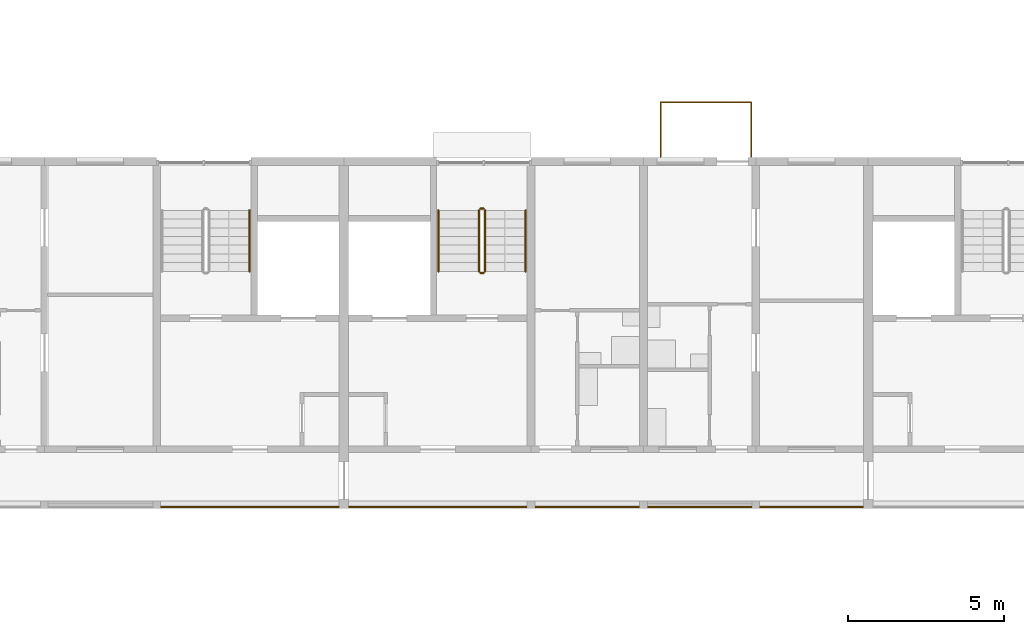
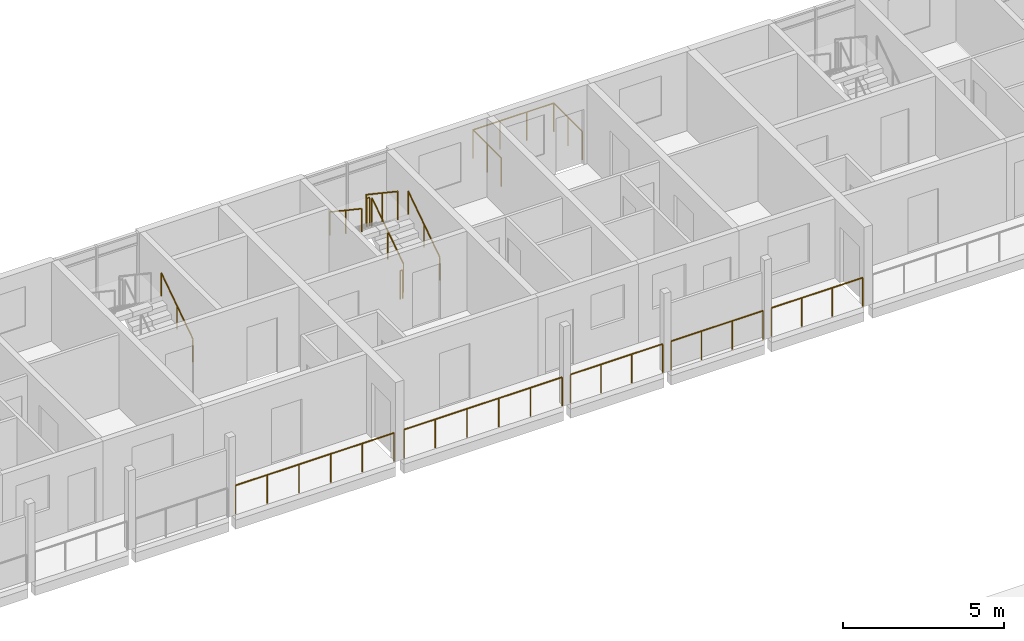
# One storey, part 118 of 122: 13 railings.
"""IFC4 building model written with IfcOpenShell, lengths in metres."""

from ifc_helpers import new_model, si_unit, direction, frame, origin, origin_2d, place, context, subcontext, project, spatial, circle, extrude, material, type_object, element, save


model = new_model("IFC4")

# Units and contexts
model_context = context("Model", 3, precision=1e-05, world=origin(), true_north=direction((0.0, 1.0)))
body_context = subcontext(model_context, "Body", "Model", "MODEL_VIEW")
ifc_project = project(units=[si_unit("LENGTHUNIT", "METRE"), si_unit("AREAUNIT", "SQUARE_METRE"), si_unit("VOLUMEUNIT", "CUBIC_METRE"), si_unit("PLANEANGLEUNIT", "RADIAN"), si_unit("MASSUNIT", "GRAM", prefix="KILO")], contexts=[model_context])

# Site, building, storey
site_placement = place(None, origin())
site = spatial("IfcSite", under=ifc_project, at=site_placement, CompositionType="ELEMENT")
building_placement = place(site_placement, origin())
building = spatial("IfcBuilding", under=site, at=building_placement, Name="Ridgestep Commons", CompositionType="ELEMENT")
storey_placement = place(building_placement, frame((0.0, 0.0, 3.0)))
storey = spatial("IfcBuildingStorey", under=building, at=storey_placement, Name="L01", CompositionType="ELEMENT", Elevation=3.0)

# Railings
ifc_material_1 = material(Name="Structural steel S355JR", Category="steel")
railing_type_1 = type_object("IfcRailingType", Name="Guard 1100", PredefinedType="GUARDRAIL", material=ifc_material_1)
railing_1_placement = place(storey_placement, frame((174.5458984375, 66.050048828125, 0.0)))
element("IfcRailing", 1, at=railing_1_placement, inside=storey, type_object=railing_type_1, Name="Gallery guard C 01.8", PredefinedType="GUARDRAIL", context=body_context, shape_type="SweptSolid", body=[
    extrude(circle(Radius=0.02392578125, at=origin_2d()), frame((0.0, 0.0, 1.076171875), z_axis=(1.0, 0.0, 0.0), x_axis=(0.0, 1.0, 0.0)), (0.0, 0.0, 1.0), 5.68310546875),
    extrude(circle(Radius=0.02099609375, at=origin_2d()), origin(), (0.0, 0.0, 1.0), 1.052001953125),
    extrude(circle(Radius=0.02099609375, at=origin_2d()), frame((1.13671875, 0.0, 0.0)), (0.0, 0.0, 1.0), 1.052001953125),
    extrude(circle(Radius=0.02099609375, at=origin_2d()), frame((2.273193359375, 0.0, 0.0)), (0.0, 0.0, 1.0), 1.052001953125),
    extrude(circle(Radius=0.02099609375, at=origin_2d()), frame((3.409912109375, 0.0, 0.0)), (0.0, 0.0, 1.0), 1.052001953125),
    extrude(circle(Radius=0.02099609375, at=origin_2d()), frame((4.54638671875, 0.0, 0.0)), (0.0, 0.0, 1.0), 1.052001953125),
    extrude(circle(Radius=0.02099609375, at=origin_2d()), frame((5.68310546875, 0.0, 0.0)), (0.0, 0.0, 1.0), 1.052001953125),
])
railing_2_placement = place(storey_placement, frame((180.571044921875, 66.050048828125, 0.0)))
element("IfcRailing", 2, at=railing_2_placement, inside=storey, type_object=railing_type_1, Name="Gallery guard C 01.9", PredefinedType="GUARDRAIL", context=body_context, shape_type="SweptSolid", body=[
    extrude(circle(Radius=0.02392578125, at=origin_2d()), frame((0.0, 0.0, 1.076171875), z_axis=(1.0, 0.0, 0.0), x_axis=(0.0, 1.0, 0.0)), (0.0, 0.0, 1.0), 5.682861328125),
    extrude(circle(Radius=0.02099609375, at=origin_2d()), origin(), (0.0, 0.0, 1.0), 1.052001953125),
    extrude(circle(Radius=0.02099609375, at=origin_2d()), frame((1.136474609375, 0.0, 0.0)), (0.0, 0.0, 1.0), 1.052001953125),
    extrude(circle(Radius=0.02099609375, at=origin_2d()), frame((2.273193359375, 0.0, 0.0)), (0.0, 0.0, 1.0), 1.052001953125),
    extrude(circle(Radius=0.02099609375, at=origin_2d()), frame((3.40966796875, 0.0, 0.0)), (0.0, 0.0, 1.0), 1.052001953125),
    extrude(circle(Radius=0.02099609375, at=origin_2d()), frame((4.54638671875, 0.0, 0.0)), (0.0, 0.0, 1.0), 1.052001953125),
    extrude(circle(Radius=0.02099609375, at=origin_2d()), frame((5.682861328125, 0.0, 0.0)), (0.0, 0.0, 1.0), 1.052001953125),
])
for number, where, name in (
    (3, (186.5458984375, 66.050048828125, 0.0), "Gallery guard C 01.10"),
    (4, (190.14599609375, 66.050048828125, 0.0), "Gallery guard C 01.11"),
):
    element("IfcRailing", number, at=place(storey_placement, frame(where)), inside=storey, type_object=railing_type_1, Name=name, PredefinedType="GUARDRAIL", context=body_context, shape_type="SweptSolid", body=[
        extrude(circle(Radius=0.02392578125, at=origin_2d()), frame((0.0, 0.0, 1.076171875), z_axis=(1.0, 0.0, 0.0), x_axis=(0.0, 1.0, 0.0)), (0.0, 0.0, 1.0), 3.30810546875),
        extrude(circle(Radius=0.02099609375, at=origin_2d()), origin(), (0.0, 0.0, 1.0), 1.052001953125),
        extrude(circle(Radius=0.02099609375, at=origin_2d()), frame((1.102783203125, 0.0, 0.0)), (0.0, 0.0, 1.0), 1.052001953125),
        extrude(circle(Radius=0.02099609375, at=origin_2d()), frame((2.205322265625, 0.0, 0.0)), (0.0, 0.0, 1.0), 1.052001953125),
        extrude(circle(Radius=0.02099609375, at=origin_2d()), frame((3.30810546875, 0.0, 0.0)), (0.0, 0.0, 1.0), 1.052001953125),
    ])
railing_3_placement = place(storey_placement, frame((193.74609375, 66.050048828125, 0.0)))
element("IfcRailing", 5, at=railing_3_placement, inside=storey, type_object=railing_type_1, Name="Gallery guard C 01.12", PredefinedType="GUARDRAIL", context=body_context, shape_type="SweptSolid", body=[
    extrude(circle(Radius=0.02392578125, at=origin_2d()), frame((0.0, 0.0, 1.076171875), z_axis=(1.0, 0.0, 0.0), x_axis=(0.0, 1.0, 0.0)), (0.0, 0.0, 1.0), 3.282958984375),
    extrude(circle(Radius=0.02099609375, at=origin_2d()), origin(), (0.0, 0.0, 1.0), 1.052001953125),
    extrude(circle(Radius=0.02099609375, at=origin_2d()), frame((1.09423828125, 0.0, 0.0)), (0.0, 0.0, 1.0), 1.052001953125),
    extrude(circle(Radius=0.02099609375, at=origin_2d()), frame((2.188720703125, 0.0, 0.0)), (0.0, 0.0, 1.0), 1.052001953125),
    extrude(circle(Radius=0.02099609375, at=origin_2d()), frame((3.282958984375, 0.0, 0.0)), (0.0, 0.0, 1.0), 1.052001953125),
])
ifc_material_2 = material(Name="Structural steel S355JR", Category="steel")
railing_type_2 = type_object("IfcRailingType", Name="Stair guard 1100", PredefinedType="GUARDRAIL", material=ifc_material_2)
railing_4_placement = place(storey_placement, frame((184.925048828125, 73.60009765625, 0.1875)))
element("IfcRailing", 6, at=railing_4_placement, inside=storey, type_object=railing_type_2, Name="L01 C3C stair guard 1", PredefinedType="GUARDRAIL", context=body_context, shape_type="SweptSolid", body=[
    extrude(circle(Radius=0.02392578125, at=origin_2d()), frame((0.0, 0.0, 1.076171875), z_axis=(0.0, 0.830902050051, 0.556418712142), x_axis=(-1.0, 0.0, 0.0)), (0.0, 0.0, 1.0), 2.35888671875),
    extrude(circle(Radius=0.02099609375, at=origin_2d()), origin(), (0.0, 0.0, 1.0), 1.052001953125),
    extrude(circle(Radius=0.02099609375, at=origin_2d()), frame((0.0, 0.97998046875, 0.65625)), (0.0, 0.0, 1.0), 1.052001953125),
    extrude(circle(Radius=0.02099609375, at=origin_2d()), frame((0.0, 1.9599609375, 1.3125)), (0.0, 0.0, 1.0), 1.052001953125),
])
railing_5_placement = place(storey_placement, frame((184.875, 75.610107421875, 1.5)))
element("IfcRailing", 7, at=railing_5_placement, inside=storey, type_object=railing_type_2, Name="L01 C3C stair guard 2", PredefinedType="GUARDRAIL", context=body_context, shape_type="SweptSolid", body=[
    extrude(circle(Radius=0.02392578125, at=origin_2d()), frame((0.0, 0.0, 1.076171875), z_axis=(-1.0, 0.0, 0.0), x_axis=(0.0, -1.0, 0.0)), (0.0, 0.0, 1.0), 0.10009765625),
    extrude(circle(Radius=0.02099609375, at=origin_2d()), origin(), (0.0, 0.0, 1.0), 1.052001953125),
    extrude(circle(Radius=0.02099609375, at=origin_2d()), frame((-0.10009765625, 0.0, 0.0)), (0.0, 0.0, 1.0), 1.052001953125),
])
railing_6_placement = place(storey_placement, frame((184.72509765625, 75.56005859375, 1.6875)))
element("IfcRailing", 8, at=railing_6_placement, inside=storey, type_object=railing_type_2, Name="L01 C3C stair guard 3", PredefinedType="GUARDRAIL", context=body_context, shape_type="SweptSolid", body=[
    extrude(circle(Radius=0.02392578125, at=origin_2d()), frame((0.0, 0.0, 1.076171875), z_axis=(0.0, -0.830902050051, 0.556418712142), x_axis=(1.0, 0.0, 0.0)), (0.0, 0.0, 1.0), 2.35888671875),
    extrude(circle(Radius=0.02099609375, at=origin_2d()), origin(), (0.0, 0.0, 1.0), 1.052001953125),
    extrude(circle(Radius=0.02099609375, at=origin_2d()), frame((0.0, -0.97998046875, 0.65625)), (0.0, 0.0, 1.0), 1.052001953125),
    extrude(circle(Radius=0.02099609375, at=origin_2d()), frame((0.0, -1.9599609375, 1.3125)), (0.0, 0.0, 1.0), 1.052001953125),
])
railing_7_placement = place(storey_placement, frame((184.875, 73.550048828125, 0.0)))
element("IfcRailing", 9, at=railing_7_placement, inside=storey, type_object=railing_type_2, Name="L01 C3C stair guard 4", PredefinedType="GUARDRAIL", context=body_context, shape_type="SweptSolid", body=[
    extrude(circle(Radius=0.02392578125, at=origin_2d()), frame((0.0, 0.0, 1.076171875), z_axis=(-1.0, 0.0, 0.0), x_axis=(0.0, -1.0, 0.0)), (0.0, 0.0, 1.0), 0.10009765625),
    extrude(circle(Radius=0.02099609375, at=origin_2d()), origin(), (0.0, 0.0, 1.0), 1.052001953125),
    extrude(circle(Radius=0.02099609375, at=origin_2d()), frame((-0.10009765625, 0.0, 0.0)), (0.0, 0.0, 1.0), 1.052001953125),
])
ifc_material_3 = material(Name="Structural steel S355JR", Category="steel")
railing_type_3 = type_object("IfcRailingType", Name="Stair handrail 900", PredefinedType="HANDRAIL", material=ifc_material_3)
for number, where, name in (
    (10, (177.375, 73.60009765625, 0.1875), "L01 C2C stair handrail 1"),
    (11, (186.22509765625, 73.60009765625, 0.1875), "L01 C3C stair handrail 1"),
):
    element("IfcRailing", number, at=place(storey_placement, frame(where)), inside=storey, type_object=railing_type_3, Name=name, PredefinedType="HANDRAIL", context=body_context, shape_type="SweptSolid", body=[
        extrude(circle(Radius=0.02392578125, at=origin_2d()), frame((0.0, 0.0, 0.8759765625), z_axis=(0.0, 0.830902050051, 0.556418712142), x_axis=(-1.0, 0.0, 0.0)), (0.0, 0.0, 1.0), 2.35888671875),
        extrude(circle(Radius=0.02099609375, at=origin_2d()), origin(), (0.0, 0.0, 1.0), 0.851806640625),
        extrude(circle(Radius=0.02099609375, at=origin_2d()), frame((0.0, 0.97998046875, 0.65625)), (0.0, 0.0, 1.0), 0.851806640625),
        extrude(circle(Radius=0.02099609375, at=origin_2d()), frame((0.0, 1.9599609375, 1.3125)), (0.0, 0.0, 1.0), 0.851806640625),
    ])
railing_8_placement = place(storey_placement, frame((183.425048828125, 75.56005859375, 1.6875)))
element("IfcRailing", 12, at=railing_8_placement, inside=storey, type_object=railing_type_3, Name="L01 C3C stair handrail 2", PredefinedType="HANDRAIL", context=body_context, shape_type="SweptSolid", body=[
    extrude(circle(Radius=0.02392578125, at=origin_2d()), frame((0.0, 0.0, 0.8759765625), z_axis=(0.0, -0.830902050051, 0.556418712142), x_axis=(1.0, 0.0, 0.0)), (0.0, 0.0, 1.0), 2.35888671875),
    extrude(circle(Radius=0.02099609375, at=origin_2d()), origin(), (0.0, 0.0, 1.0), 0.851806640625),
    extrude(circle(Radius=0.02099609375, at=origin_2d()), frame((0.0, -0.97998046875, 0.65625)), (0.0, 0.0, 1.0), 0.851806640625),
    extrude(circle(Radius=0.02099609375, at=origin_2d()), frame((0.0, -1.9599609375, 1.3125)), (0.0, 0.0, 1.0), 0.851806640625),
])
ifc_material_4 = material(Name="Weathering steel S355J2W", Category="steel")
railing_type_4 = type_object("IfcRailingType", Name="Tray guard 1100", PredefinedType="GUARDRAIL", material=ifc_material_4)
railing_9_placement = place(storey_placement, frame((190.551025390625, 77.27099609375, 0.0)))
element("IfcRailing", 13, at=railing_9_placement, inside=storey, type_object=railing_type_4, Name="Tray guard C3T2-01", PredefinedType="GUARDRAIL", context=body_context, shape_type="SweptSolid", body=[
    extrude(circle(Radius=0.02392578125, at=origin_2d()), frame((0.0, 0.0, 1.076171875), z_axis=(0.0, 1.0, 0.0), x_axis=(-1.0, 0.0, 0.0)), (0.0, 0.0, 1.0), 1.758056640625),
    extrude(circle(Radius=0.02392578125, at=origin_2d()), frame((0.0, 1.758056640625, 1.076171875), z_axis=(1.0, 0.0, 0.0), x_axis=(0.0, 1.0, 0.0)), (0.0, 0.0, 1.0), 2.89794921875),
    extrude(circle(Radius=0.02392578125, at=origin_2d()), frame((2.89794921875, 1.758056640625, 1.076171875), z_axis=(0.0, -1.0, 0.0), x_axis=(1.0, 0.0, 0.0)), (0.0, 0.0, 1.0), 1.758056640625),
    extrude(circle(Radius=0.02099609375, at=origin_2d()), origin(), (0.0, 0.0, 1.0), 1.052001953125),
    extrude(circle(Radius=0.02099609375, at=origin_2d()), frame((0.0, 0.87890625, 0.0)), (0.0, 0.0, 1.0), 1.052001953125),
    extrude(circle(Radius=0.02099609375, at=origin_2d()), frame((0.0, 1.758056640625, 0.0)), (0.0, 0.0, 1.0), 1.052001953125),
    extrude(circle(Radius=0.02099609375, at=origin_2d()), frame((0.966064453125, 1.758056640625, 0.0)), (0.0, 0.0, 1.0), 1.052001953125),
    extrude(circle(Radius=0.02099609375, at=origin_2d()), frame((1.931884765625, 1.758056640625, 0.0)), (0.0, 0.0, 1.0), 1.052001953125),
    extrude(circle(Radius=0.02099609375, at=origin_2d()), frame((2.89794921875, 1.758056640625, 0.0)), (0.0, 0.0, 1.0), 1.052001953125),
    extrude(circle(Radius=0.02099609375, at=origin_2d()), frame((2.89794921875, 0.87890625, 0.0)), (0.0, 0.0, 1.0), 1.052001953125),
    extrude(circle(Radius=0.02099609375, at=origin_2d()), frame((2.89794921875, 0.0, 0.0)), (0.0, 0.0, 1.0), 1.052001953125),
])

save(model, "model.ifc")
